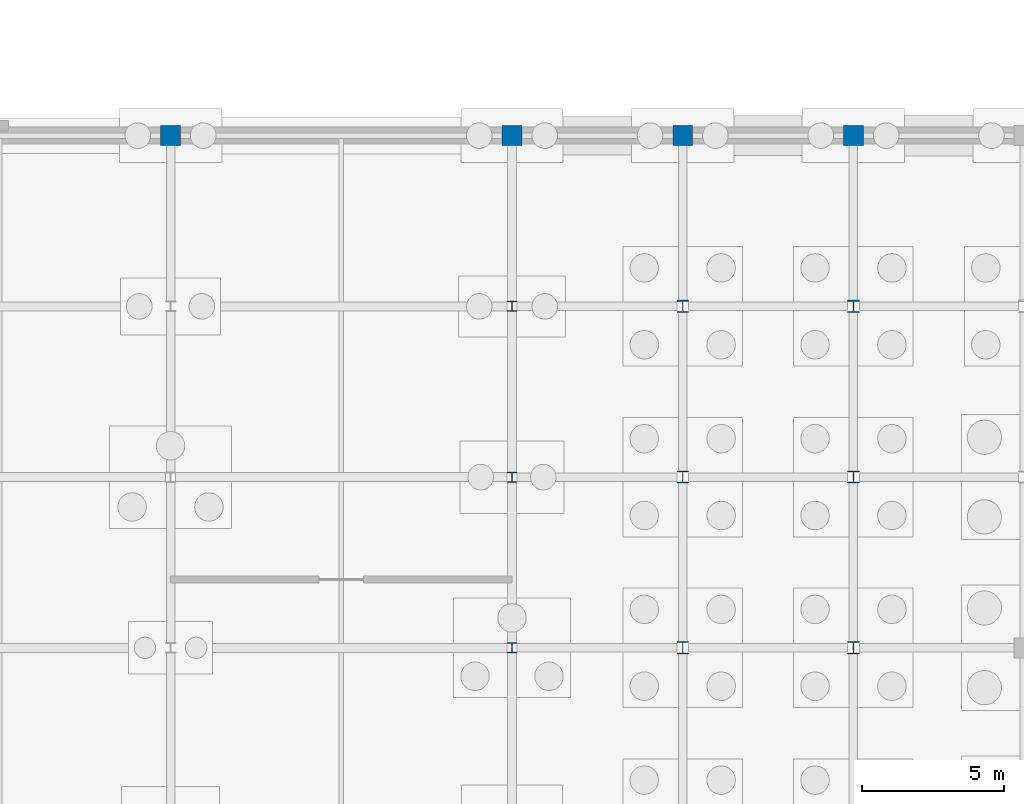
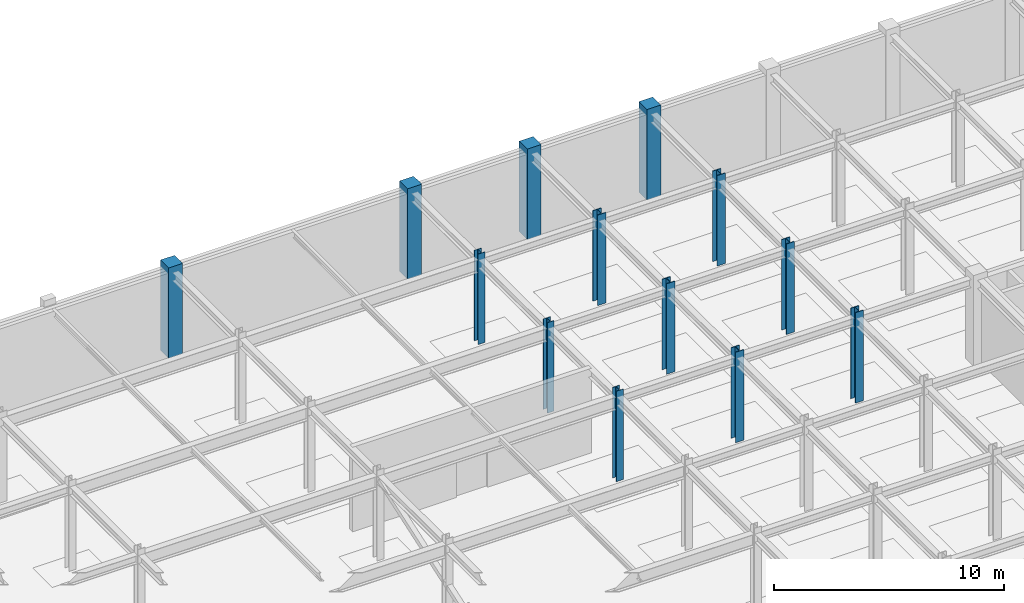
# One storey, part 24 of 69: 13 columns.
"""IFC4 building model written with IfcOpenShell, lengths in metres."""

from ifc_helpers import new_model, si_unit, direction, frame, origin, origin_2d, place, context, subcontext, project, spatial, rectangle, i_section, extrude, material, material_profile, profile_set, type_object, element, save


model = new_model("IFC4")

# Units and contexts
model_context = context("Model", 3, precision=1e-05, world=origin(), true_north=direction((0.0, 1.0)))
body_context = subcontext(model_context, "Body", "Model", "MODEL_VIEW")
ifc_project = project(units=[si_unit("LENGTHUNIT", "METRE"), si_unit("AREAUNIT", "SQUARE_METRE"), si_unit("VOLUMEUNIT", "CUBIC_METRE"), si_unit("PLANEANGLEUNIT", "RADIAN"), si_unit("MASSUNIT", "GRAM", prefix="KILO")], contexts=[model_context])

# Site, building, storey
site_placement = place(None, origin())
site = spatial("IfcSite", under=ifc_project, at=site_placement, CompositionType="ELEMENT")
building_placement = place(site_placement, origin())
building = spatial("IfcBuilding", under=site, at=building_placement, Name="Zlatovratsky Civic Hall", CompositionType="ELEMENT")
storey_placement = place(building_placement, frame((0.0, 0.0, -4.800048828125)))
storey = spatial("IfcBuildingStorey", under=building, at=storey_placement, Name="B1", CompositionType="ELEMENT", Elevation=-4.800048828125)

# Columns
ifc_material_1 = material(Name="Concrete C35/45 (B40)", Category="concrete")
ifc_material_profile_1 = material_profile(ifc_material_1, rectangle(XDim=0.699951171875, YDim=0.699951171875, at=origin_2d()), Name="RC 700x700")
ifc_profile_set_1 = profile_set([ifc_material_profile_1], Name="Concrete C35/45 (B40)")
column_type_1 = type_object("IfcColumnType", Name="Col_CorePier_RC700", PredefinedType="COLUMN", material=ifc_profile_set_1)
for number, where, z_axis, x_axis, name in (
    (1, (36.0, 114.0, 0.0), (0.0, 0.0, 1.0), (1.0, 0.0, 0.0), "CL-0398"),
    (2, (48.0, 114.0, 0.0), (0.0, 0.0, 1.0), (1.0, 0.0, 0.0), "CL-0399"),
    (3, (54.0, 114.0, 0.0), (0.0, 0.0, 1.0), (1.0, 0.0, 0.0), "CL-0400"),
    (4, (60.0, 114.0, 0.0), (0.0, 0.0, 1.0), (1.0, 0.0, 0.0), "CL-0401"),
):
    element("IfcColumn", number, at=place(storey_placement, frame(where, z_axis=z_axis, x_axis=x_axis)), inside=storey, type_object=column_type_1, Name=name, PredefinedType="COLUMN", context=body_context, shape_type="SweptSolid", body=[
        extrude(rectangle(XDim=0.699951171875, YDim=0.699951171875, at=origin_2d()), origin(), (0.0, 0.0, 1.0), 4.800048828125),
    ])
ifc_material_2 = material(Name="Steel S355", Category="steel")
ifc_material_profile_2 = material_profile(ifc_material_2, i_section(OverallWidth=0.35009765625, OverallDepth=0.35009765625, WebThickness=0.011962890625, FlangeThickness=0.01904296875, FilletRadius=0.02001953125, at=origin_2d()), Name="35K2")
ifc_profile_set_2 = profile_set([ifc_material_profile_2], Name="Steel S355")
column_type_2 = type_object("IfcColumnType", Name="Col_Steel_35K2", PredefinedType="COLUMN", material=ifc_profile_set_2)
for number, where, z_axis, x_axis, name in (
    (5, (48.0, 96.0, 0.0), (0.0, 0.0, 1.0), (1.0, 0.0, 0.0), "CL-0330"),
    (6, (48.0, 102.0, 0.0), (0.0, 0.0, 1.0), (1.0, 0.0, 0.0), "CL-0353"),
    (7, (48.0, 108.0, 0.0), (0.0, 0.0, 1.0), (1.0, 0.0, 0.0), "CL-0376"),
):
    element("IfcColumn", number, at=place(storey_placement, frame(where, z_axis=z_axis, x_axis=x_axis)), inside=storey, type_object=column_type_2, Name=name, PredefinedType="COLUMN", context=body_context, shape_type="SweptSolid", body=[
        extrude(i_section(OverallWidth=0.35009765625, OverallDepth=0.35009765625, WebThickness=0.011962890625, FlangeThickness=0.01904296875, FilletRadius=0.02001953125, at=origin_2d()), origin(), (0.0, 0.0, 1.0), 4.800048828125),
    ])
ifc_material_profile_3 = material_profile(ifc_material_2, i_section(OverallWidth=0.408935546875, OverallDepth=0.428955078125, WebThickness=0.02392578125, FlangeThickness=0.035400390625, FilletRadius=0.02197265625, at=origin_2d()), Name="40K5")
ifc_profile_set_3 = profile_set([ifc_material_profile_3], Name="Steel S355")
column_type_3 = type_object("IfcColumnType", Name="Col_Steel_40K5", PredefinedType="COLUMN", material=ifc_profile_set_3)
for number, where, z_axis, x_axis, name in (
    (8, (54.0, 96.0, 0.0), (0.0, 0.0, 1.0), (1.0, 0.0, 0.0), "CL-0331"),
    (9, (60.0, 96.0, 0.0), (0.0, 0.0, 1.0), (1.0, 0.0, 0.0), "CL-0332"),
    (10, (54.0, 102.0, 0.0), (0.0, 0.0, 1.0), (1.0, 0.0, 0.0), "CL-0354"),
    (11, (60.0, 102.0, 0.0), (0.0, 0.0, 1.0), (1.0, 0.0, 0.0), "CL-0355"),
    (12, (54.0, 108.0, 0.0), (0.0, 0.0, 1.0), (1.0, 0.0, 0.0), "CL-0377"),
    (13, (60.0, 108.0, 0.0), (0.0, 0.0, 1.0), (1.0, 0.0, 0.0), "CL-0378"),
):
    element("IfcColumn", number, at=place(storey_placement, frame(where, z_axis=z_axis, x_axis=x_axis)), inside=storey, type_object=column_type_3, Name=name, PredefinedType="COLUMN", context=body_context, shape_type="SweptSolid", body=[
        extrude(i_section(OverallWidth=0.408935546875, OverallDepth=0.428955078125, WebThickness=0.02392578125, FlangeThickness=0.035400390625, FilletRadius=0.02197265625, at=origin_2d()), origin(), (0.0, 0.0, 1.0), 4.800048828125),
    ])

save(model, "model.ifc")
